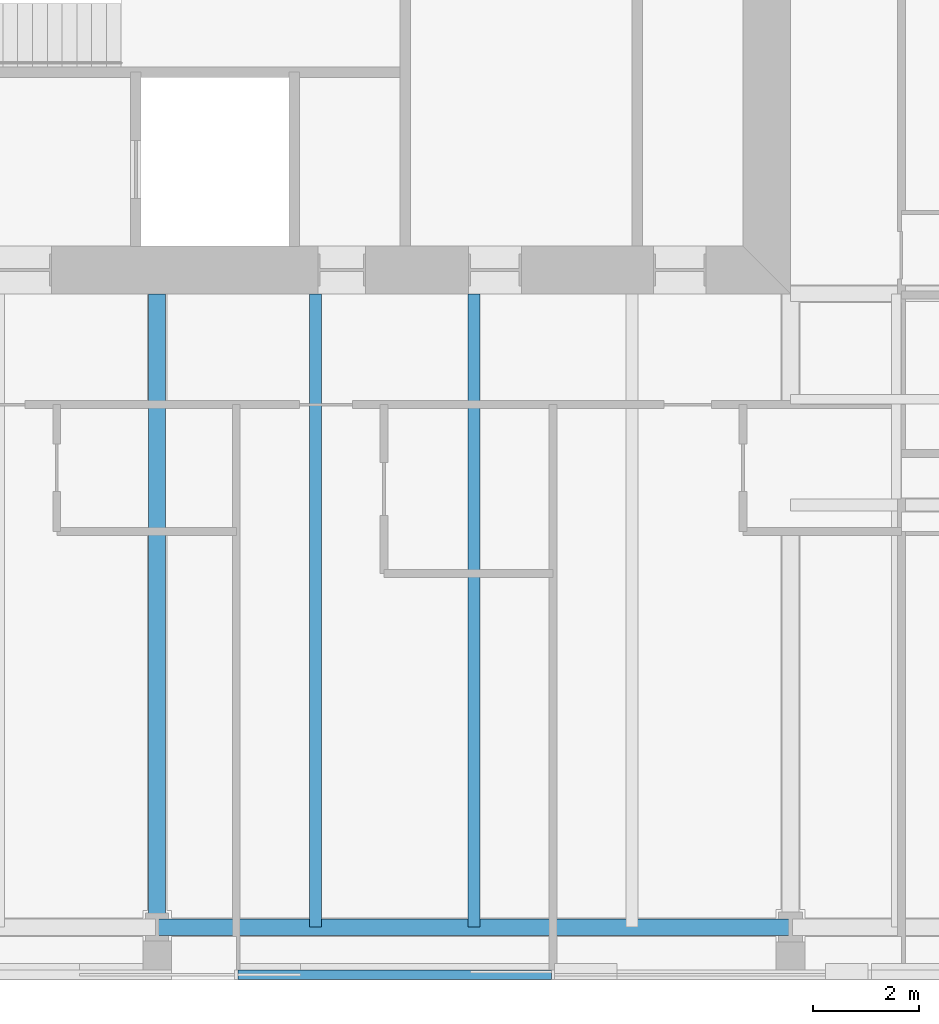
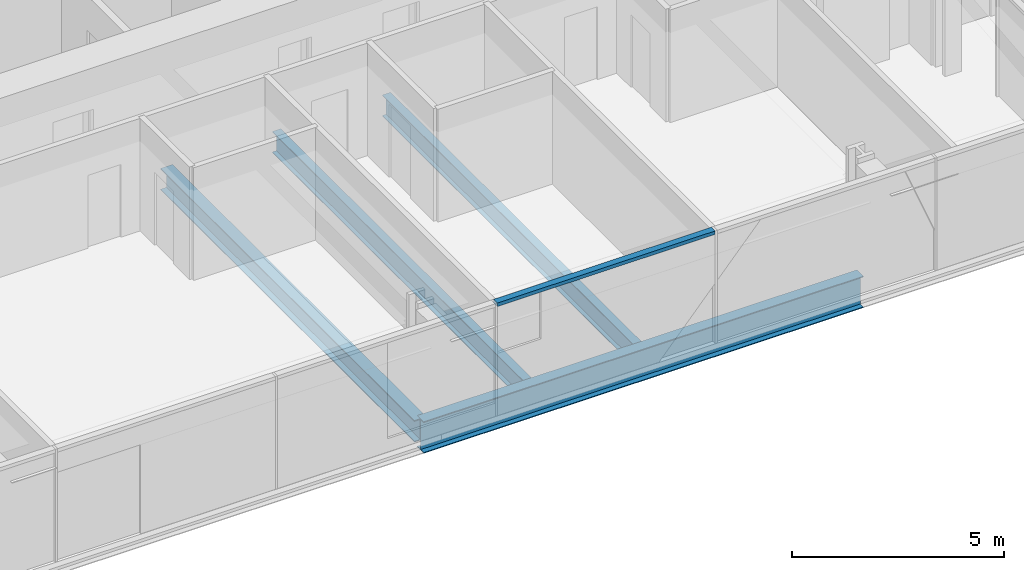
# One storey, part 3 of 20: 4 beams, 1 member, 1 element without a shape of its own.
"""IFC4 building model written with IfcOpenShell, lengths in metres."""

from ifc_helpers import new_model, si_unit, direction, frame, origin, origin_2d, place, context, subcontext, project, spatial, rectangle, i_section, extrude, material, material_profile, profile_set, type_object, element, aggregate, save


model = new_model("IFC4")

# Units and contexts
model_context = context("Model", 3, precision=1e-05, world=origin(), true_north=direction((0.0, 1.0)))
body_context = subcontext(model_context, "Body", "Model", "MODEL_VIEW")
ifc_project = project(units=[si_unit("LENGTHUNIT", "METRE"), si_unit("AREAUNIT", "SQUARE_METRE"), si_unit("VOLUMEUNIT", "CUBIC_METRE"), si_unit("PLANEANGLEUNIT", "RADIAN"), si_unit("MASSUNIT", "GRAM", prefix="KILO")], contexts=[model_context])

# Site, building, storey
site_placement = place(None, origin())
site = spatial("IfcSite", under=ifc_project, at=site_placement, CompositionType="ELEMENT")
building_placement = place(site_placement, origin())
building = spatial("IfcBuilding", under=site, at=building_placement, Name="Fenwick Lantern Interchange", CompositionType="ELEMENT")
storey_placement = place(building_placement, frame((0.0, 0.0, 259.39990234375)))
storey = spatial("IfcBuildingStorey", under=building, at=storey_placement, Name="L61", CompositionType="ELEMENT", Elevation=259.39990234375)

# Beams
ifc_material_1 = material(Name="Steel ASTM A992 Grade 50", Category="steel")
ifc_material_profile_1 = material_profile(ifc_material_1, i_section(OverallWidth=0.3046875, OverallDepth=0.911865234375, WebThickness=0.015869140625, FlangeThickness=0.02392578125, at=origin_2d()), Name="W36X150")
ifc_profile_set_1 = profile_set([ifc_material_profile_1], Name="Steel ASTM A992 Grade 50")
beam_type_1 = type_object("IfcBeamType", Name="EDGE BEAM W36X150", PredefinedType="SPANDREL", material=ifc_profile_set_1)
beam_1_placement = place(storey_placement, frame((25.0, 1.0, -0.605712890625), z_axis=(1.0, 0.0, 0.0), x_axis=(0.0, 1.0, 0.0)))
element("IfcBeam", 1, at=beam_1_placement, inside=storey, type_object=beam_type_1, Name="L61/FR/S/EB3", PredefinedType="SPANDREL", context=body_context, shape_type="SweptSolid", body=[
    extrude(i_section(OverallWidth=0.3046875, OverallDepth=0.911865234375, WebThickness=0.015869140625, FlangeThickness=0.02392578125, at=origin_2d()), origin(), (0.0, 0.0, 1.0), 12.0),
])
ifc_material_profile_2 = material_profile(ifc_material_1, i_section(OverallWidth=0.22900390625, OverallDepth=0.612060546875, WebThickness=0.011962890625, FlangeThickness=0.01953125, at=origin_2d()), Name="W24X84")
ifc_profile_set_2 = profile_set([ifc_material_profile_2], Name="Steel ASTM A992 Grade 50")
beam_type_2 = type_object("IfcBeamType", Name="FLOOR BEAM W24X84", PredefinedType="BEAM", material=ifc_profile_set_2)
for number, where, z_axis, x_axis, name in (
    (2, (28.0, 1.0, -0.4560546875), (0.0, 1.0, 0.0), (-1.0, 0.0, 0.0), "L61/FR/S/R06"),
    (3, (31.0, 1.0, -0.4560546875), (0.0, 1.0, 0.0), (-1.0, 0.0, 0.0), "L61/FR/S/R07"),
):
    element("IfcBeam", number, at=place(storey_placement, frame(where, z_axis=z_axis, x_axis=x_axis)), inside=storey, type_object=beam_type_2, Name=name, PredefinedType="BEAM", context=body_context, shape_type="SweptSolid", body=[
        extrude(i_section(OverallWidth=0.22900390625, OverallDepth=0.612060546875, WebThickness=0.011962890625, FlangeThickness=0.01953125, at=origin_2d()), origin(), (0.0, 0.0, 1.0), 12.0),
    ])

# Curtain wall, member
ifc_material_2 = material(Name="Aluminium curtain wall frame", Category="aluminium")
curtain_wall_type = type_object("IfcCurtainWallType", Name="HOTEL CURTAIN WALL", PredefinedType="USERDEFINED", material=ifc_material_2)
curtain_wall_placement = place(storey_placement, origin())
curtain_wall = element("IfcCurtainWall", 4, at=curtain_wall_placement, inside=storey, type_object=curtain_wall_type, Name="Hotel curtain wall 01", ObjectType="HOTEL CURTAIN WALL", PredefinedType="USERDEFINED")
ifc_material_3 = material(Name="Aluminium extrusion", Category="aluminium")
ifc_material_profile_3 = material_profile(ifc_material_3, rectangle(XDim=0.179931640625, YDim=0.10009765625, at=origin_2d()), Name="HOTEL CURTAIN WALL TRANSOM 100 X 180")
ifc_profile_set_3 = profile_set([ifc_material_profile_3], Name="Aluminium extrusion")
member_type = type_object("IfcMemberType", Name="HOTEL CURTAIN WALL TRANSOM 100 X 180", PredefinedType="MULLION", material=ifc_profile_set_3)
member_placement = place(storey_placement, frame((26.530029296875, 0.10009765625, 3.2001953125), z_axis=(1.0, 0.0, 0.0), x_axis=(0.0, 1.0, 0.0)))
member = element("IfcMember", 5, at=member_placement, type_object=member_type, Name="L61/CW/01/T04", PredefinedType="MULLION", context=body_context, shape_type="SweptSolid", body=[
    extrude(rectangle(XDim=0.179931640625, YDim=0.10009765625, at=origin_2d()), origin(), (0.0, 0.0, 1.0), 5.93994140625),
])
aggregate(curtain_wall, [member])

# Beam
ifc_material_profile_4 = material_profile(ifc_material_1, i_section(OverallWidth=0.32763671875, OverallDepth=0.622314453125, WebThickness=0.015380859375, FlangeThickness=0.0244140625, at=origin_2d()), Name="W24X131")
ifc_profile_set_4 = profile_set([ifc_material_profile_4], Name="Steel ASTM A992 Grade 50")
beam_type_3 = type_object("IfcBeamType", Name="MOMENT-CONNECTED GIRDER W24X131", PredefinedType="BEAM", material=ifc_profile_set_4)
beam_2_placement = place(storey_placement, frame((25.0, 1.0, -0.4609375), z_axis=(0.0, 1.0, 0.0), x_axis=(-1.0, 0.0, 0.0)))
element("IfcBeam", 6, at=beam_2_placement, inside=storey, type_object=beam_type_3, Name="L61/FR/S/R05", PredefinedType="BEAM", context=body_context, shape_type="SweptSolid", body=[
    extrude(i_section(OverallWidth=0.32763671875, OverallDepth=0.622314453125, WebThickness=0.015380859375, FlangeThickness=0.0244140625, at=origin_2d()), origin(), (0.0, 0.0, 1.0), 12.0),
])

save(model, "model.ifc")
